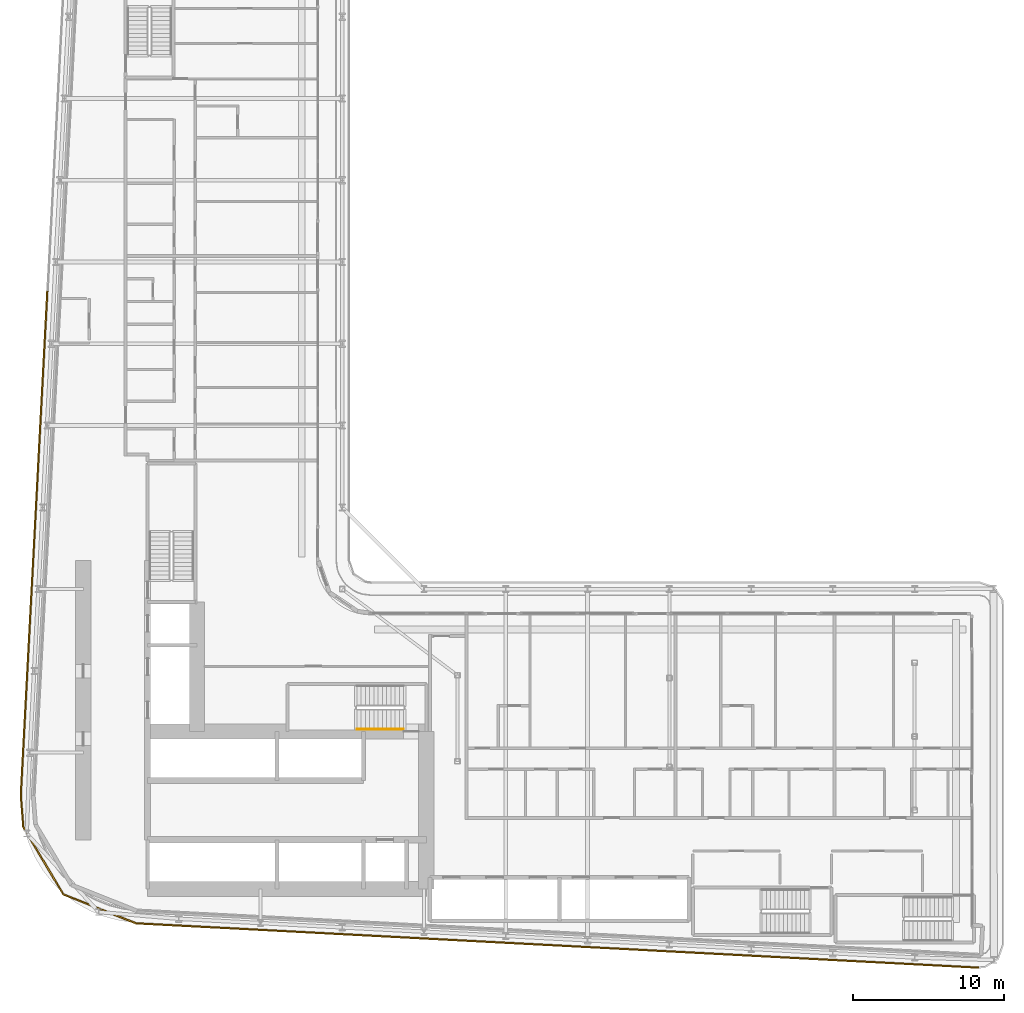
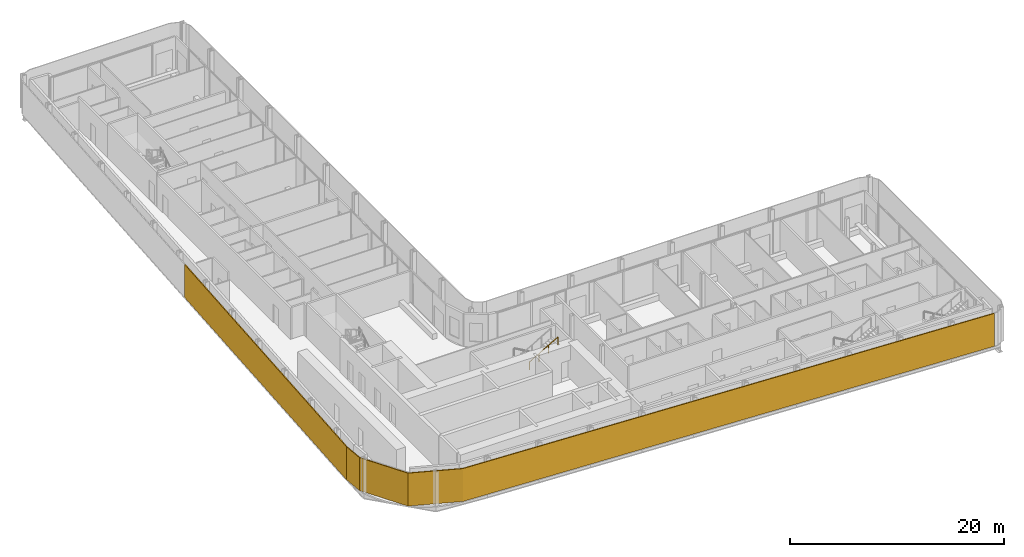
# One storey, part 19 of 25: 2 shading devices, 1 railing.
"""IFC4 building model written with IfcOpenShell, lengths in metres."""

import ifcopenshell
import ifcopenshell.guid

model = None  # the IFC model being written
_history = None  # IfcOwnerHistory: only IFC2X3 demands one
_inside = {}  # id of a spatial element -> (the spatial element, [elements in it])
_under = {}  # id of a project, library or spatial element -> (it, [spatial elements below it])
_declared = {}  # id of a project -> (the project, [libraries it declares])
_typed = {}  # id of a type object -> (the type object, [elements of that type])
_made_of = {}  # id of a material, layer set ... -> (it, [elements and type objects made of it])


def new_model(schema):
    """Start an empty IFC model of exactly this schema.

    Asked for "IFC4X3", IfcOpenShell would pick the latest addendum, in which some entities
    have other attributes; the version numbers below select the first issue.
    IFC2X3 requires an IfcOwnerHistory on every rooted entity: one is made here for all.
    """
    global model, _history
    if schema == "IFC4X3":
        model = ifcopenshell.file(schema_version=(4, 3, 0, 0))
    else:
        model = ifcopenshell.file(schema=schema)
    _inside.clear()
    _under.clear()
    _declared.clear()
    _typed.clear()
    _made_of.clear()
    _history = None
    if model.schema == "IFC2X3":
        org = make("IfcOrganization", Name="unknown")
        user = make(
            "IfcPersonAndOrganization",
            ThePerson=make("IfcPerson", FamilyName="unknown"),
            TheOrganization=org,
        )
        app = make(
            "IfcApplication",
            ApplicationDeveloper=org,
            Version="unknown",
            ApplicationFullName="unknown",
            ApplicationIdentifier="unknown",
        )
        _history = make(
            "IfcOwnerHistory",
            OwningUser=user,
            OwningApplication=app,
            ChangeAction="ADDED",
            CreationDate=0,
        )
    return model


def make(cls, **values):
    """One entity of the class cls with the attributes given. An attribute that is None is left unset."""
    return model.create_entity(
        cls, **{name: value for name, value in values.items() if value is not None}
    )


def rooted(cls, **values):
    """An entity with a GlobalId (a new one), such as an element, a storey or a relation."""
    return make(cls, GlobalId=ifcopenshell.guid.new(), OwnerHistory=_history, **values)


def si_unit(unit_type, name, prefix=None):
    """IfcSIUnit, for example si_unit("LENGTHUNIT", "METRE", prefix="MILLI")."""
    return make("IfcSIUnit", UnitType=unit_type, Prefix=prefix, Name=name)


def assignment(units):
    """IfcUnitAssignment: the units of a project."""
    return None if units is None else make("IfcUnitAssignment", Units=units)


def point(xyz):
    """IfcCartesianPoint."""
    return None if xyz is None else make("IfcCartesianPoint", Coordinates=xyz)


def direction(xyz):
    """IfcDirection."""
    return None if xyz is None else make("IfcDirection", DirectionRatios=xyz)


def frame(location, z_axis=None, x_axis=None):
    """IfcAxis2Placement3D, a coordinate frame: its origin and axes. An axis left out is left unset."""
    return make(
        "IfcAxis2Placement3D",
        Location=point(location),
        Axis=direction(z_axis),
        RefDirection=direction(x_axis),
    )


def frame_2d(location, x_axis=None):
    """IfcAxis2Placement2D, a coordinate frame in the plane: its origin and x axis."""
    return make(
        "IfcAxis2Placement2D", Location=point(location), RefDirection=direction(x_axis)
    )


def origin():
    """The frame at (0, 0, 0) with its axes left unset."""
    return frame((0.0, 0.0, 0.0))


def origin_2d():
    """The frame at (0, 0) in the plane with its x axis left unset."""
    return frame_2d((0.0, 0.0))


def place(relative_to, where):
    """IfcLocalPlacement: puts the frame where relative to a parent placement (None: the world)."""
    return make(
        "IfcLocalPlacement", PlacementRelTo=relative_to, RelativePlacement=where
    )


def context(
    kind, dimensions, precision=None, world=None, true_north=None, identifier=None
):
    """IfcGeometricRepresentationContext, for example the 3D "Model" context."""
    return make(
        "IfcGeometricRepresentationContext",
        ContextIdentifier=identifier,
        ContextType=kind,
        CoordinateSpaceDimension=dimensions,
        Precision=precision,
        WorldCoordinateSystem=world,
        TrueNorth=true_north,
    )


def subcontext(parent, identifier, kind, view, scale=None):
    """IfcGeometricRepresentationSubContext, for example "Body" below "Model"."""
    return make(
        "IfcGeometricRepresentationSubContext",
        ContextIdentifier=identifier,
        ContextType=kind,
        ParentContext=parent,
        TargetScale=scale,
        TargetView=view,
    )


def project(units=None, contexts=None):
    """IfcProject with its units and contexts."""
    return rooted(
        "IfcProject",
        Name="project",
        RepresentationContexts=contexts,
        UnitsInContext=assignment(units),
    )


def spatial(cls, under=None, at=None, **own):
    """A site, building, storey or space (cls), placed at a placement, below another one or the project."""
    s = rooted(cls, ObjectPlacement=at, **own)
    if under is not None:
        _under.setdefault(under.id(), (under, []))[1].append(s)
    return s


def polyline(points):
    """IfcPolyline through the points."""
    return make("IfcPolyline", Points=[point(p) for p in points])


def profile(cls, at=None, kind="AREA", **sizes):
    """A parametric profile (cls). Its sizes go by their IFC names, for example OverallWidth=200.0."""
    return make(cls, ProfileType=kind, Position=at, **sizes)


def rectangle(**sizes):
    """IfcRectangleProfileDef."""
    return profile("IfcRectangleProfileDef", **sizes)


def circle(**sizes):
    """IfcCircleProfileDef."""
    return profile("IfcCircleProfileDef", **sizes)


def outline(outer, holes=None, kind="AREA"):
    """IfcArbitraryClosedProfileDef: a profile drawn as a closed curve; with holes, ...WithVoids."""
    if holes is None:
        return make("IfcArbitraryClosedProfileDef", ProfileType=kind, OuterCurve=outer)
    return make(
        "IfcArbitraryProfileDefWithVoids",
        ProfileType=kind,
        OuterCurve=outer,
        InnerCurves=holes,
    )


def extrude(swept, where, along, depth):
    """IfcExtrudedAreaSolid: the profile swept, set in the frame where, extruded along a direction by depth."""
    return make(
        "IfcExtrudedAreaSolid",
        SweptArea=swept,
        Position=where,
        ExtrudedDirection=direction(along),
        Depth=depth,
    )


def shape(context_of_items, identifier, shape_type, items):
    """IfcShapeRepresentation: the items that make up one representation, for example the "Body"."""
    return make(
        "IfcShapeRepresentation",
        ContextOfItems=context_of_items,
        RepresentationIdentifier=identifier,
        RepresentationType=shape_type,
        Items=items,
    )


def material(Name=None, Category=None):
    """IfcMaterial."""
    return make("IfcMaterial", Name=Name, Category=Category)


def layer(
    of_material, thickness, ventilated=None, Name=None, Category=None, Priority=None
):
    """IfcMaterialLayer: one layer of a wall or slab, of a material (None: an air gap)."""
    return make(
        "IfcMaterialLayer",
        Material=of_material,
        LayerThickness=thickness,
        IsVentilated=ventilated,
        Name=Name,
        Category=Category,
        Priority=Priority,
    )


def layer_set(layers, Name=None):
    """IfcMaterialLayerSet."""
    return make("IfcMaterialLayerSet", MaterialLayers=layers, LayerSetName=Name)


def made_of(thing, what):
    """Note that an element or type object is made of a material, layer set ...; save() writes the relation."""
    if what is not None:
        _made_of.setdefault(what.id(), (what, []))[1].append(thing)
    return thing


def type_object(cls, material=None, **own):
    """A type object (cls), such as IfcWallType, which elements share."""
    return made_of(rooted(cls, **own), material)


def element(
    cls,
    number,
    at=None,
    inside=None,
    cuts=None,
    type_object=None,
    material=None,
    context=None,
    identifier="Body",
    shape_type=None,
    held_by="IfcProductDefinitionShape",
    body=None,
    shapes=None,
    **own,
):
    """One element of the class cls, such as IfcWall. Its Tag is "e" and its number.

    at: its placement. inside: the storey or other place that contains it. cuts: it is an
    opening in that element (IfcRelVoidsElement). A single representation is given by context,
    identifier, shape_type and body (its items); several are given by shapes. held_by: the class
    of the entity that holds the representations. save() writes the other relations.
    """
    e = rooted(cls, Tag="e%d" % number, ObjectPlacement=at, **own)
    if body is not None:
        shapes = [shape(context, identifier, shape_type, body)]
    if shapes is not None:
        e.Representation = make(held_by, Representations=shapes)
    if inside is not None:
        _inside.setdefault(inside.id(), (inside, []))[1].append(e)
    if cuts is not None:
        rooted(
            "IfcRelVoidsElement", RelatingBuildingElement=cuts, RelatedOpeningElement=e
        )
    if type_object is not None:
        _typed.setdefault(type_object.id(), (type_object, []))[1].append(e)
    return made_of(e, material)


def aggregate(whole, parts):
    """IfcRelAggregates: a whole, such as a stair, and the parts it consists of."""
    return rooted("IfcRelAggregates", RelatingObject=whole, RelatedObjects=parts)


def save(model, path):
    """Write the relations noted so far, then the file.

    IfcRelAggregates (storeys below a building ...), IfcRelContainedInSpatialStructure (elements
    in a storey), IfcRelDefinesByType, IfcRelAssociatesMaterial and IfcRelDeclares: one each for
    every whole, place, type object, material and project.
    """
    for whole, parts in _under.values():
        aggregate(whole, parts)
    for where, things in _inside.values():
        rooted(
            "IfcRelContainedInSpatialStructure",
            RelatedElements=things,
            RelatingStructure=where,
        )
    for kind, things in _typed.values():
        rooted("IfcRelDefinesByType", RelatedObjects=things, RelatingType=kind)
    for what, things in _made_of.values():
        rooted("IfcRelAssociatesMaterial", RelatedObjects=things, RelatingMaterial=what)
    for by, libraries in _declared.values():
        rooted("IfcRelDeclares", RelatingContext=by, RelatedDefinitions=libraries)
    model.write(path)


model = new_model("IFC4")

# Units and contexts
model_context = context("Model", 3, precision=1e-05, world=origin(), true_north=direction((0.0, 1.0)))
body_context = subcontext(model_context, "Body", "Model", "MODEL_VIEW")
ifc_project = project(units=[si_unit("LENGTHUNIT", "METRE"), si_unit("AREAUNIT", "SQUARE_METRE"), si_unit("VOLUMEUNIT", "CUBIC_METRE"), si_unit("PLANEANGLEUNIT", "RADIAN"), si_unit("MASSUNIT", "GRAM", prefix="KILO")], contexts=[model_context])

# Site, building, storey
site_placement = place(None, origin())
site = spatial("IfcSite", under=ifc_project, at=site_placement, CompositionType="ELEMENT")
building_placement = place(site_placement, origin())
building = spatial("IfcBuilding", under=site, at=building_placement, Name="Kheshtan School and Residences Tower", CompositionType="ELEMENT")
storey_placement = place(building_placement, frame((0.0, 0.0, 34.39990234375)))
storey = spatial("IfcBuildingStorey", under=building, at=storey_placement, Name="L07", CompositionType="ELEMENT", Elevation=34.39990234375)

# Shading devices
ifc_material_1 = material(Name="Terracotta baguette, extruded ceramic", Category="masonry")
ifc_layer = layer(ifc_material_1, 0.10009765625)
ifc_layer_set = layer_set([ifc_layer], Name="Ledge screen, terracotta baguettes")
shading_device_type = type_object("IfcShadingDeviceType", Name="Ledge screen, terracotta baguettes", PredefinedType="USERDEFINED", material=ifc_layer_set)
shading_device_1_placement = place(storey_placement, origin())
element("IfcShadingDevice", 1, at=shading_device_1_placement, inside=storey, type_object=shading_device_type, Name="Screen L07 3", ObjectType="BAGUETTE", PredefinedType="USERDEFINED", context=body_context, shape_type="SweptSolid", body=[
    extrude(outline(polyline([(89.62109375, 20.652099609375), (33.989013671875, 23.580078125), (29.2119140625, 25.486083984375), (26.583984375, 29.906982421875), (26.419921875, 31.989013671875), (26.320068359375, 31.98095703125), (26.486083984375, 29.8759765625), (29.14306640625, 25.406005859375), (33.967041015625, 23.48095703125), (89.615966796875, 20.552001953125), (89.62109375, 20.652099609375)])), origin(), (0.0, 0.0, 1.0), 3.75),
])
shading_device_2_placement = place(storey_placement, frame((27.24609375, 48.638916015625, 0.0), z_axis=(0.0, 0.0, 1.0), x_axis=(0.052562536748, 0.998617634398, 0.0)))
element("IfcShadingDevice", 2, at=shading_device_2_placement, inside=storey, type_object=shading_device_type, Name="Screen L07 4", ObjectType="BAGUETTE", PredefinedType="USERDEFINED", context=body_context, shape_type="SweptSolid", body=[
    extrude(rectangle(XDim=33.341064453125, YDim=0.10009765625, at=origin_2d()), origin(), (0.0, 0.0, 1.0), 3.75),
])

# Railing
ifc_material_2 = material(Name="Stainless steel handrail", Category="steel")
railing_type = type_object("IfcRailingType", Name="Stair handrail 900", PredefinedType="HANDRAIL", material=ifc_material_2)
railing_placement = place(storey_placement, frame((48.570068359375, 36.35009765625, 2.112548828125)))
element("IfcRailing", 3, at=railing_placement, inside=storey, type_object=railing_type, Name="L07 ST1 stair handrail 2", PredefinedType="HANDRAIL", context=body_context, shape_type="SweptSolid", body=[
    extrude(circle(Radius=0.02392578125, at=origin_2d()), frame((0.0, 0.0, 0.8759765625), z_axis=(0.864873446163, 0.0, 0.501989962173), x_axis=(0.0, 1.0, 0.0)), (0.0, 0.0, 1.0), 3.56103515625),
    extrude(circle(Radius=0.02099609375, at=origin_2d()), origin(), (0.0, 0.0, 1.0), 0.851806640625),
    extrude(circle(Radius=0.02099609375, at=origin_2d()), frame((1.026611328125, 0.0, 0.595947265625)), (0.0, 0.0, 1.0), 0.851806640625),
    extrude(circle(Radius=0.02099609375, at=origin_2d()), frame((2.05322265625, 0.0, 1.191650390625)), (0.0, 0.0, 1.0), 0.851806640625),
    extrude(circle(Radius=0.02099609375, at=origin_2d()), frame((3.079833984375, 0.0, 1.78759765625)), (0.0, 0.0, 1.0), 0.851806640625),
])

save(model, "model.ifc")
